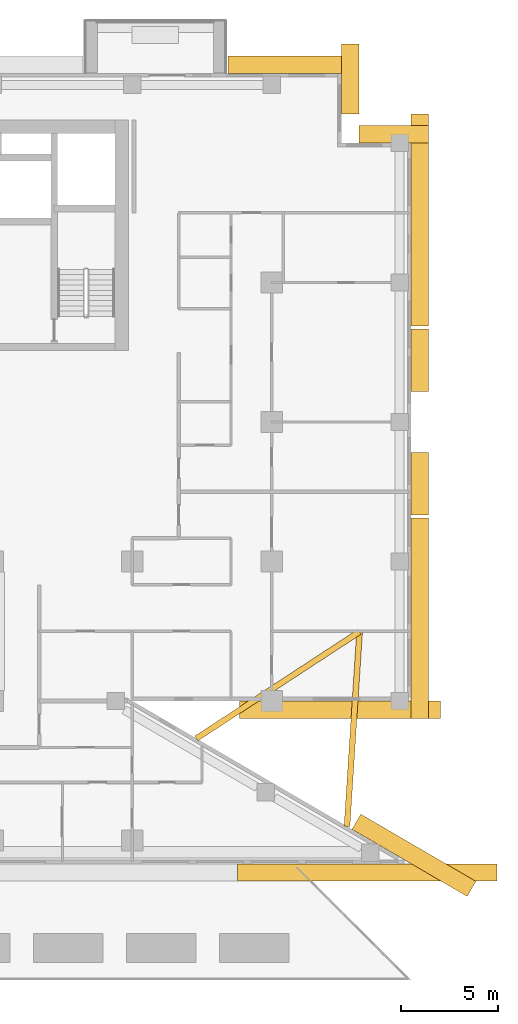
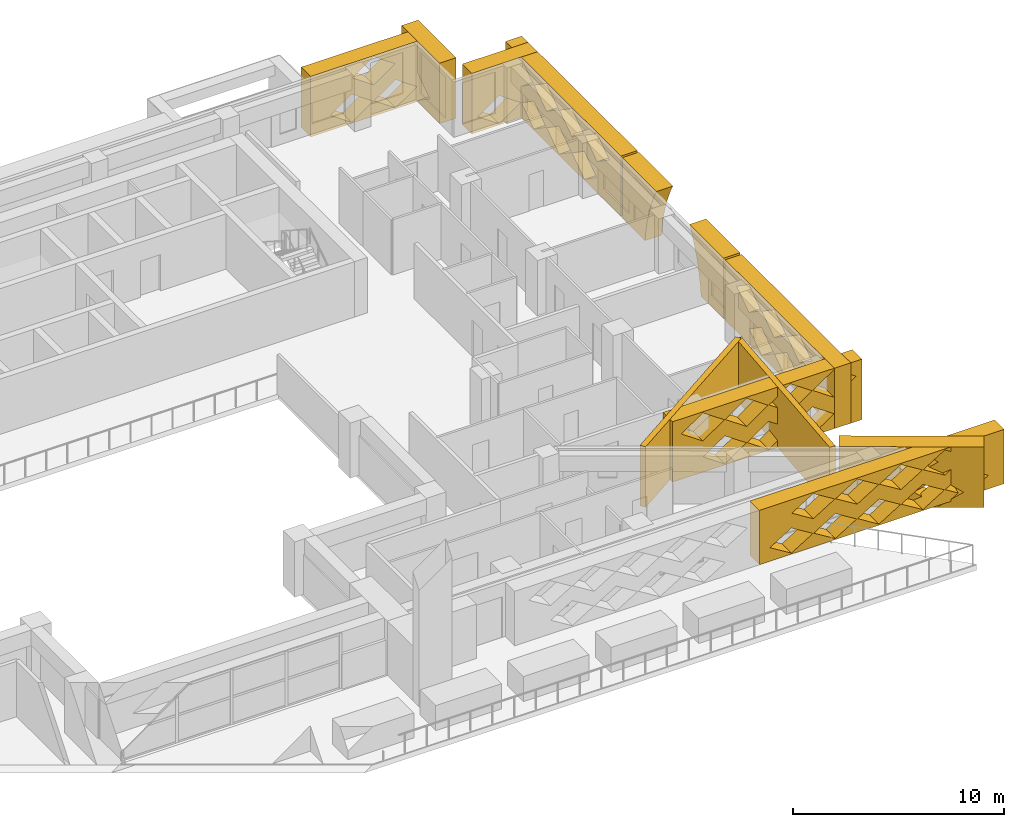
# One storey, part 17 of 17: 12 coverings.
"""IFC4 building model written with IfcOpenShell, lengths in metres."""

from ifc_helpers import new_model, si_unit, direction, frame, origin, place, context, subcontext, project, spatial, polyline, outline, extrude, material, layer, layer_set, type_object, element, save


model = new_model("IFC4")

# Units and contexts
model_context = context("Model", 3, precision=1e-05, world=origin(), true_north=direction((0.0, 1.0)))
body_context = subcontext(model_context, "Body", "Model", "MODEL_VIEW")
ifc_project = project(units=[si_unit("LENGTHUNIT", "METRE"), si_unit("AREAUNIT", "SQUARE_METRE"), si_unit("VOLUMEUNIT", "CUBIC_METRE"), si_unit("PLANEANGLEUNIT", "RADIAN"), si_unit("MASSUNIT", "GRAM", prefix="KILO")], contexts=[model_context])

# Site, building, storey
site_placement = place(None, origin())
site = spatial("IfcSite", under=ifc_project, at=site_placement, CompositionType="ELEMENT")
building_placement = place(site_placement, origin())
building = spatial("IfcBuilding", under=site, at=building_placement, Name="Saffron Iwan Residences", CompositionType="ELEMENT")
storey_placement = place(building_placement, frame((0.0, 0.0, 113.0)))
storey = spatial("IfcBuildingStorey", under=building, at=storey_placement, Name="L29", CompositionType="ELEMENT", Elevation=113.0)

# Coverings
ifc_material_1 = material(Name="Precast concrete C40/50 white painted", Category="concrete")
covering_type_1 = type_object("IfcCoveringType", Name="IWAN PANEL PRECAST WHITE", PredefinedType="CLADDING", material=ifc_material_1)
covering_1_placement = place(storey_placement, frame((86.39990234375, 57.60009765625, -0.300048828125), z_axis=(1.0, 0.0, 0.0), x_axis=(0.0, 1.0, 0.0)))
element("IfcCovering", 1, at=covering_1_placement, inside=storey, type_object=covering_type_1, Name="Iwan panel L29 F2.0", PredefinedType="CLADDING", context=body_context, shape_type="SweptSolid", body=[
    extrude(outline(polyline([(0.0, 0.0), (0.0, 3.5), (3.230712890625, 3.5), (3.10498046875, 3.276611328125), (2.802001953125, 2.621337890625), (2.55126953125, 1.944580078125), (2.354736328125, 1.25), (2.21337890625, 0.5419921875), (2.149169921875, 0.0), (0.0, 0.0)])), origin(), (0.0, 0.0, 1.0), 0.900146484375),
])
covering_2_placement = place(storey_placement, frame((86.39990234375, 57.60009765625, -0.300048828125), z_axis=(1.0, 0.0, 0.0), x_axis=(0.0, 1.0, 0.0)))
element("IfcCovering", 2, at=covering_2_placement, inside=storey, type_object=covering_type_1, Name="Iwan panel L29 F2.1", PredefinedType="CLADDING", context=body_context, shape_type="SweptSolid", body=[
    extrude(outline(polyline([(9.60009765625, 3.5), (9.60009765625, 0.0), (7.45068359375, 0.0), (7.386474609375, 0.5419921875), (7.2451171875, 1.25), (7.048583984375, 1.944580078125), (6.798095703125, 2.621337890625), (6.4951171875, 3.276611328125), (6.369384765625, 3.5), (9.60009765625, 3.5)])), origin(), (0.0, 0.0, 1.0), 0.900146484375),
])
ifc_material_2 = material(Name="Precast concrete C40/50", Category="concrete")
covering_type_2 = type_object("IfcCoveringType", Name="OUTER SKIN LATTICE SCREEN", PredefinedType="CLADDING", material=ifc_material_2)
covering_3_placement = place(storey_placement, frame((89.283935546875, 37.917724609375, -0.300048828125), z_axis=(0.503803550485, 0.863818257806, 0.0), x_axis=(-0.863818257806, 0.503803550485, 0.0)))
element("IfcCovering", 3, at=covering_3_placement, inside=storey, type_object=covering_type_2, Name="OUTER SKIN lattice screen L29 F0.0", PredefinedType="CLADDING", context=body_context, shape_type="SweptSolid", body=[
    extrude(outline(polyline([(0.0, 0.0), (6.874267578125, 0.0), (6.874267578125, 3.5), (0.0, 3.5), (0.0, 0.0)]), holes=[polyline([(0.958740234375, 0.875), (2.138671875, 0.06005859375), (3.318603515625, 0.875), (2.138671875, 1.68994140625), (0.958740234375, 0.875)]), polyline([(3.358642578125, 0.875), (4.538818359375, 0.06005859375), (5.71875, 0.875), (4.538818359375, 1.68994140625), (3.358642578125, 0.875)]), polyline([(2.15869140625, 2.625), (3.338623046875, 1.81005859375), (4.518798828125, 2.625), (3.338623046875, 3.43994140625), (2.15869140625, 2.625)])]), origin(), (0.0, 0.0, 1.0), 0.89990234375),
])
covering_4_placement = place(storey_placement, frame((77.538818359375, 48.0, -0.300048828125), z_axis=(0.0, -1.0, 0.0), x_axis=(1.0, 0.0, 0.0)))
element("IfcCovering", 4, at=covering_4_placement, inside=storey, type_object=covering_type_2, Name="OUTER SKIN lattice screen L29 F1.0", PredefinedType="CLADDING", context=body_context, shape_type="SweptSolid", body=[
    extrude(outline(polyline([(0.0, 0.0), (10.361328125, 0.0), (10.361328125, 3.5), (0.0, 3.5), (0.0, 0.0)]), holes=[polyline([(1.681396484375, 0.875), (2.861328125, 0.06005859375), (4.041259765625, 0.875), (2.861328125, 1.68994140625), (1.681396484375, 0.875)]), polyline([(4.081298828125, 0.875), (5.26123046875, 0.06005859375), (6.44140625, 0.875), (5.26123046875, 1.68994140625), (4.081298828125, 0.875)]), polyline([(6.481201171875, 0.875), (7.661376953125, 0.06005859375), (8.84130859375, 0.875), (7.661376953125, 1.68994140625), (6.481201171875, 0.875)]), polyline([(0.481201171875, 2.625), (1.661376953125, 1.81005859375), (2.84130859375, 2.625), (1.661376953125, 3.43994140625), (0.481201171875, 2.625)]), polyline([(2.88134765625, 2.625), (4.061279296875, 1.81005859375), (5.2412109375, 2.625), (4.061279296875, 3.43994140625), (2.88134765625, 2.625)]), polyline([(5.28125, 2.625), (6.461181640625, 1.81005859375), (7.641357421875, 2.625), (6.461181640625, 3.43994140625), (5.28125, 2.625)]), polyline([(7.681396484375, 2.625), (8.861328125, 1.81005859375), (10.041259765625, 2.625), (8.861328125, 3.43994140625), (7.681396484375, 2.625)])]), origin(), (0.0, 0.0, 1.0), 0.89990234375),
])
covering_5_placement = place(storey_placement, frame((86.39990234375, 47.10009765625, -0.300048828125), z_axis=(1.0, 0.0, 0.0), x_axis=(0.0, 1.0, 0.0)))
element("IfcCovering", 5, at=covering_5_placement, inside=storey, type_object=covering_type_2, Name="OUTER SKIN lattice screen L29 F2.0", PredefinedType="CLADDING", context=body_context, shape_type="SweptSolid", body=[
    extrude(outline(polyline([(0.0, 0.0), (10.35009765625, 0.0), (10.35009765625, 3.5), (0.0, 3.5), (0.0, 0.0)]), holes=[polyline([(0.919921875, 0.875), (2.10009765625, 0.06005859375), (3.280029296875, 0.875), (2.10009765625, 1.68994140625), (0.919921875, 0.875)]), polyline([(3.320068359375, 0.875), (4.5, 0.06005859375), (5.679931640625, 0.875), (4.5, 1.68994140625), (3.320068359375, 0.875)]), polyline([(5.719970703125, 0.875), (6.89990234375, 0.06005859375), (8.080078125, 0.875), (6.89990234375, 1.68994140625), (5.719970703125, 0.875)]), polyline([(2.1201171875, 2.625), (3.300048828125, 1.81005859375), (4.47998046875, 2.625), (3.300048828125, 3.43994140625), (2.1201171875, 2.625)]), polyline([(4.52001953125, 2.625), (5.699951171875, 1.81005859375), (6.8798828125, 2.625), (5.699951171875, 3.43994140625), (4.52001953125, 2.625)]), polyline([(6.919921875, 2.625), (8.10009765625, 1.81005859375), (9.280029296875, 2.625), (8.10009765625, 3.43994140625), (6.919921875, 2.625)])]), origin(), (0.0, 0.0, 1.0), 0.900146484375),
])
covering_6_placement = place(storey_placement, frame((86.39990234375, 67.35009765625, -0.300048828125), z_axis=(1.0, 0.0, 0.0), x_axis=(0.0, 1.0, 0.0)))
element("IfcCovering", 6, at=covering_6_placement, inside=storey, type_object=covering_type_2, Name="OUTER SKIN lattice screen L29 F2.1", PredefinedType="CLADDING", context=body_context, shape_type="SweptSolid", body=[
    extrude(outline(polyline([(0.0, 0.0), (10.949951171875, 0.0), (10.949951171875, 3.5), (0.0, 3.5), (0.0, 0.0)]), holes=[polyline([(2.27001953125, 0.875), (3.449951171875, 0.06005859375), (4.6298828125, 0.875), (3.449951171875, 1.68994140625), (2.27001953125, 0.875)]), polyline([(4.669921875, 0.875), (5.85009765625, 0.06005859375), (7.030029296875, 0.875), (5.85009765625, 1.68994140625), (4.669921875, 0.875)]), polyline([(7.070068359375, 0.875), (8.25, 0.06005859375), (9.429931640625, 0.875), (8.25, 1.68994140625), (7.070068359375, 0.875)]), polyline([(1.070068359375, 2.625), (2.25, 1.81005859375), (3.429931640625, 2.625), (2.25, 3.43994140625), (1.070068359375, 2.625)]), polyline([(3.469970703125, 2.625), (4.64990234375, 1.81005859375), (5.830078125, 2.625), (4.64990234375, 3.43994140625), (3.469970703125, 2.625)]), polyline([(5.8701171875, 2.625), (7.050048828125, 1.81005859375), (8.22998046875, 2.625), (7.050048828125, 3.43994140625), (5.8701171875, 2.625)]), polyline([(8.27001953125, 2.625), (9.449951171875, 1.81005859375), (10.6298828125, 2.625), (9.449951171875, 3.43994140625), (8.27001953125, 2.625)])]), origin(), (0.0, 0.0, 1.0), 0.900146484375),
])
for number, where, z_axis, x_axis, name in (
    (7, (87.300048828125, 76.800048828125, -0.300048828125), (0.0, 1.0, 0.0), (-1.0, 0.0, 0.0), "OUTER SKIN lattice screen L29 F3.0"),
    (8, (82.800048828125, 78.300048828125, -0.300048828125), (1.0, 0.0, 0.0), (0.0, 1.0, 0.0), "OUTER SKIN lattice screen L29 F4.0"),
):
    element("IfcCovering", number, at=place(storey_placement, frame(where, z_axis=z_axis, x_axis=x_axis)), inside=storey, type_object=covering_type_2, Name=name, PredefinedType="CLADDING", context=body_context, shape_type="SweptSolid", body=[
        extrude(outline(polyline([(0.0, 0.0), (3.60009765625, 0.0), (3.60009765625, 3.5), (0.0, 3.5), (0.0, 0.0)]), holes=[polyline([(0.919921875, 0.875), (2.10009765625, 0.06005859375), (3.280029296875, 0.875), (2.10009765625, 1.68994140625), (0.919921875, 0.875)])]), origin(), (0.0, 0.0, 1.0), 0.89990234375),
    ])
covering_7_placement = place(storey_placement, frame((83.699951171875, 80.39990234375, -0.300048828125), z_axis=(0.0, 1.0, 0.0), x_axis=(-1.0, 0.0, 0.0)))
element("IfcCovering", 9, at=covering_7_placement, inside=storey, type_object=covering_type_2, Name="OUTER SKIN lattice screen L29 F5.0", PredefinedType="CLADDING", context=body_context, shape_type="SweptSolid", body=[
    extrude(outline(polyline([(0.0, 0.0), (6.75, 0.0), (6.75, 3.5), (0.0, 3.5), (0.0, 0.0)]), holes=[polyline([(0.919921875, 0.875), (2.10009765625, 0.06005859375), (3.280029296875, 0.875), (2.10009765625, 1.68994140625), (0.919921875, 0.875)]), polyline([(3.320068359375, 0.875), (4.5, 0.06005859375), (5.679931640625, 0.875), (4.5, 1.68994140625), (3.320068359375, 0.875)]), polyline([(2.1201171875, 2.625), (3.300048828125, 1.81005859375), (4.47998046875, 2.625), (3.300048828125, 3.43994140625), (2.1201171875, 2.625)])]), origin(), (0.0, 0.0, 1.0), 0.900146484375),
])
covering_8_placement = place(storey_placement, frame((77.4443359375, 39.60009765625, 0.050048828125), z_axis=(0.0, -1.0, 0.0), x_axis=(1.0, 0.0, 0.0)))
element("IfcCovering", 10, at=covering_8_placement, inside=storey, type_object=covering_type_2, Name="OUTER SKIN lattice screen L29 F11.4", PredefinedType="CLADDING", context=body_context, shape_type="SweptSolid", body=[
    extrude(outline(polyline([(0.0, 0.0), (13.394287109375, 0.0), (13.394287109375, 3.14990234375), (0.0, 3.14990234375), (0.0, 0.0)]), holes=[polyline([(0.57568359375, 0.78759765625), (1.755615234375, 0.06005859375), (2.935791015625, 0.78759765625), (1.755615234375, 1.514892578125), (0.57568359375, 0.78759765625)]), polyline([(2.9755859375, 0.78759765625), (4.15576171875, 0.06005859375), (5.335693359375, 0.78759765625), (4.15576171875, 1.514892578125), (2.9755859375, 0.78759765625)]), polyline([(5.375732421875, 0.78759765625), (6.5556640625, 0.06005859375), (7.735595703125, 0.78759765625), (6.5556640625, 1.514892578125), (5.375732421875, 0.78759765625)]), polyline([(7.775634765625, 0.78759765625), (8.955810546875, 0.06005859375), (10.1357421875, 0.78759765625), (8.955810546875, 1.514892578125), (7.775634765625, 0.78759765625)]), polyline([(10.175537109375, 0.78759765625), (11.355712890625, 0.06005859375), (12.53564453125, 0.78759765625), (11.355712890625, 1.514892578125), (10.175537109375, 0.78759765625)]), polyline([(1.775634765625, 2.362548828125), (2.955810546875, 1.635009765625), (4.1357421875, 2.362548828125), (2.955810546875, 3.090087890625), (1.775634765625, 2.362548828125)]), polyline([(4.175537109375, 2.362548828125), (5.355712890625, 1.635009765625), (6.53564453125, 2.362548828125), (5.355712890625, 3.090087890625), (4.175537109375, 2.362548828125)]), polyline([(6.57568359375, 2.362548828125), (7.755615234375, 1.635009765625), (8.935791015625, 2.362548828125), (7.755615234375, 3.090087890625), (6.57568359375, 2.362548828125)]), polyline([(8.9755859375, 2.362548828125), (10.15576171875, 1.635009765625), (11.335693359375, 2.362548828125), (10.15576171875, 3.090087890625), (8.9755859375, 2.362548828125)])]), origin(), (0.0, 0.0, 1.0), 0.900146484375),
])
ifc_layer = layer(ifc_material_1, 0.300048828125)
ifc_layer_set = layer_set([ifc_layer], Name="Precast concrete C40/50 white painted")
covering_type_3 = type_object("IfcCoveringType", Name="PROW NOSE BLADE PRECAST WHITE", PredefinedType="CLADDING", material=ifc_layer_set)
covering_9_placement = place(storey_placement, frame((0.0, 0.0, -0.300048828125)))
element("IfcCovering", 11, at=covering_9_placement, inside=storey, type_object=covering_type_3, Name="Prow nose blade L29 a", PredefinedType="CLADDING", context=body_context, shape_type="SweptSolid", body=[
    extrude(outline(polyline([(83.23681640625, 41.52294921875), (83.884521484375, 51.564453125), (83.585205078125, 51.583740234375), (82.937255859375, 41.542236328125), (83.23681640625, 41.52294921875)])), origin(), (0.0, 0.0, 1.0), 3.5),
])
covering_10_placement = place(storey_placement, frame((0.0, 0.0, -0.300048828125)))
element("IfcCovering", 12, at=covering_10_placement, inside=storey, type_object=covering_type_3, Name="Prow nose blade L29 b", PredefinedType="CLADDING", context=body_context, shape_type="SweptSolid", body=[
    extrude(outline(polyline([(75.39501953125, 45.94189453125), (83.81689453125, 51.448486328125), (83.65283203125, 51.69970703125), (75.23095703125, 46.193115234375), (75.39501953125, 45.94189453125)])), origin(), (0.0, 0.0, 1.0), 3.5),
])

save(model, "model.ifc")
